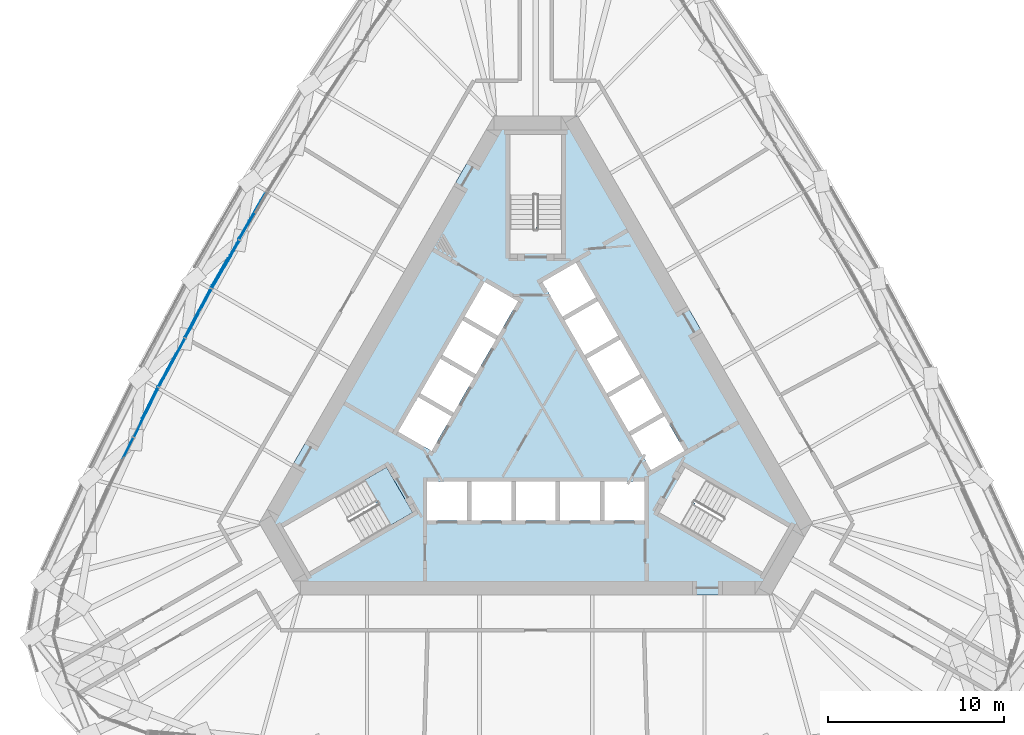
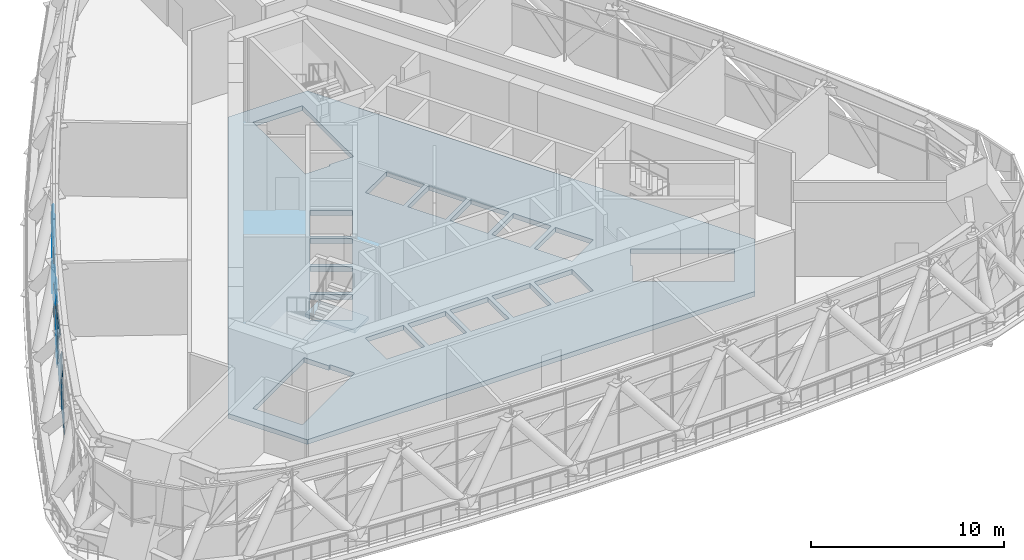
# One storey, part 12 of 35: 25 plates, 2 slabs, 2 elements without a shape of their own.
"""IFC4 building model written with IfcOpenShell, lengths in metres."""

import ifcopenshell
import ifcopenshell.guid

model = None  # the IFC model being written
_history = None  # IfcOwnerHistory: only IFC2X3 demands one
_inside = {}  # id of a spatial element -> (the spatial element, [elements in it])
_under = {}  # id of a project, library or spatial element -> (it, [spatial elements below it])
_declared = {}  # id of a project -> (the project, [libraries it declares])
_typed = {}  # id of a type object -> (the type object, [elements of that type])
_made_of = {}  # id of a material, layer set ... -> (it, [elements and type objects made of it])


def new_model(schema):
    """Start an empty IFC model of exactly this schema.

    Asked for "IFC4X3", IfcOpenShell would pick the latest addendum, in which some entities
    have other attributes; the version numbers below select the first issue.
    IFC2X3 requires an IfcOwnerHistory on every rooted entity: one is made here for all.
    """
    global model, _history
    if schema == "IFC4X3":
        model = ifcopenshell.file(schema_version=(4, 3, 0, 0))
    else:
        model = ifcopenshell.file(schema=schema)
    _inside.clear()
    _under.clear()
    _declared.clear()
    _typed.clear()
    _made_of.clear()
    _history = None
    if model.schema == "IFC2X3":
        org = make("IfcOrganization", Name="unknown")
        user = make(
            "IfcPersonAndOrganization",
            ThePerson=make("IfcPerson", FamilyName="unknown"),
            TheOrganization=org,
        )
        app = make(
            "IfcApplication",
            ApplicationDeveloper=org,
            Version="unknown",
            ApplicationFullName="unknown",
            ApplicationIdentifier="unknown",
        )
        _history = make(
            "IfcOwnerHistory",
            OwningUser=user,
            OwningApplication=app,
            ChangeAction="ADDED",
            CreationDate=0,
        )
    return model


def make(cls, **values):
    """One entity of the class cls with the attributes given. An attribute that is None is left unset."""
    return model.create_entity(
        cls, **{name: value for name, value in values.items() if value is not None}
    )


def rooted(cls, **values):
    """An entity with a GlobalId (a new one), such as an element, a storey or a relation."""
    return make(cls, GlobalId=ifcopenshell.guid.new(), OwnerHistory=_history, **values)


def si_unit(unit_type, name, prefix=None):
    """IfcSIUnit, for example si_unit("LENGTHUNIT", "METRE", prefix="MILLI")."""
    return make("IfcSIUnit", UnitType=unit_type, Prefix=prefix, Name=name)


def assignment(units):
    """IfcUnitAssignment: the units of a project."""
    return None if units is None else make("IfcUnitAssignment", Units=units)


def point(xyz):
    """IfcCartesianPoint."""
    return None if xyz is None else make("IfcCartesianPoint", Coordinates=xyz)


def direction(xyz):
    """IfcDirection."""
    return None if xyz is None else make("IfcDirection", DirectionRatios=xyz)


def frame(location, z_axis=None, x_axis=None):
    """IfcAxis2Placement3D, a coordinate frame: its origin and axes. An axis left out is left unset."""
    return make(
        "IfcAxis2Placement3D",
        Location=point(location),
        Axis=direction(z_axis),
        RefDirection=direction(x_axis),
    )


def origin():
    """The frame at (0, 0, 0) with its axes left unset."""
    return frame((0.0, 0.0, 0.0))


def place(relative_to, where):
    """IfcLocalPlacement: puts the frame where relative to a parent placement (None: the world)."""
    return make(
        "IfcLocalPlacement", PlacementRelTo=relative_to, RelativePlacement=where
    )


def context(
    kind, dimensions, precision=None, world=None, true_north=None, identifier=None
):
    """IfcGeometricRepresentationContext, for example the 3D "Model" context."""
    return make(
        "IfcGeometricRepresentationContext",
        ContextIdentifier=identifier,
        ContextType=kind,
        CoordinateSpaceDimension=dimensions,
        Precision=precision,
        WorldCoordinateSystem=world,
        TrueNorth=true_north,
    )


def subcontext(parent, identifier, kind, view, scale=None):
    """IfcGeometricRepresentationSubContext, for example "Body" below "Model"."""
    return make(
        "IfcGeometricRepresentationSubContext",
        ContextIdentifier=identifier,
        ContextType=kind,
        ParentContext=parent,
        TargetScale=scale,
        TargetView=view,
    )


def project(units=None, contexts=None):
    """IfcProject with its units and contexts."""
    return rooted(
        "IfcProject",
        Name="project",
        RepresentationContexts=contexts,
        UnitsInContext=assignment(units),
    )


def spatial(cls, under=None, at=None, **own):
    """A site, building, storey or space (cls), placed at a placement, below another one or the project."""
    s = rooted(cls, ObjectPlacement=at, **own)
    if under is not None:
        _under.setdefault(under.id(), (under, []))[1].append(s)
    return s


def polyline(points):
    """IfcPolyline through the points."""
    return make("IfcPolyline", Points=[point(p) for p in points])


def outline(outer, holes=None, kind="AREA"):
    """IfcArbitraryClosedProfileDef: a profile drawn as a closed curve; with holes, ...WithVoids."""
    if holes is None:
        return make("IfcArbitraryClosedProfileDef", ProfileType=kind, OuterCurve=outer)
    return make(
        "IfcArbitraryProfileDefWithVoids",
        ProfileType=kind,
        OuterCurve=outer,
        InnerCurves=holes,
    )


def extrude(swept, where, along, depth):
    """IfcExtrudedAreaSolid: the profile swept, set in the frame where, extruded along a direction by depth."""
    return make(
        "IfcExtrudedAreaSolid",
        SweptArea=swept,
        Position=where,
        ExtrudedDirection=direction(along),
        Depth=depth,
    )


def shape(context_of_items, identifier, shape_type, items):
    """IfcShapeRepresentation: the items that make up one representation, for example the "Body"."""
    return make(
        "IfcShapeRepresentation",
        ContextOfItems=context_of_items,
        RepresentationIdentifier=identifier,
        RepresentationType=shape_type,
        Items=items,
    )


def material(Name=None, Category=None):
    """IfcMaterial."""
    return make("IfcMaterial", Name=Name, Category=Category)


def layer(
    of_material, thickness, ventilated=None, Name=None, Category=None, Priority=None
):
    """IfcMaterialLayer: one layer of a wall or slab, of a material (None: an air gap)."""
    return make(
        "IfcMaterialLayer",
        Material=of_material,
        LayerThickness=thickness,
        IsVentilated=ventilated,
        Name=Name,
        Category=Category,
        Priority=Priority,
    )


def layer_set(layers, Name=None):
    """IfcMaterialLayerSet."""
    return make("IfcMaterialLayerSet", MaterialLayers=layers, LayerSetName=Name)


def made_of(thing, what):
    """Note that an element or type object is made of a material, layer set ...; save() writes the relation."""
    if what is not None:
        _made_of.setdefault(what.id(), (what, []))[1].append(thing)
    return thing


def type_object(cls, material=None, **own):
    """A type object (cls), such as IfcWallType, which elements share."""
    return made_of(rooted(cls, **own), material)


def element(
    cls,
    number,
    at=None,
    inside=None,
    cuts=None,
    type_object=None,
    material=None,
    context=None,
    identifier="Body",
    shape_type=None,
    held_by="IfcProductDefinitionShape",
    body=None,
    shapes=None,
    **own,
):
    """One element of the class cls, such as IfcWall. Its Tag is "e" and its number.

    at: its placement. inside: the storey or other place that contains it. cuts: it is an
    opening in that element (IfcRelVoidsElement). A single representation is given by context,
    identifier, shape_type and body (its items); several are given by shapes. held_by: the class
    of the entity that holds the representations. save() writes the other relations.
    """
    e = rooted(cls, Tag="e%d" % number, ObjectPlacement=at, **own)
    if body is not None:
        shapes = [shape(context, identifier, shape_type, body)]
    if shapes is not None:
        e.Representation = make(held_by, Representations=shapes)
    if inside is not None:
        _inside.setdefault(inside.id(), (inside, []))[1].append(e)
    if cuts is not None:
        rooted(
            "IfcRelVoidsElement", RelatingBuildingElement=cuts, RelatedOpeningElement=e
        )
    if type_object is not None:
        _typed.setdefault(type_object.id(), (type_object, []))[1].append(e)
    return made_of(e, material)


def aggregate(whole, parts):
    """IfcRelAggregates: a whole, such as a stair, and the parts it consists of."""
    return rooted("IfcRelAggregates", RelatingObject=whole, RelatedObjects=parts)


def save(model, path):
    """Write the relations noted so far, then the file.

    IfcRelAggregates (storeys below a building ...), IfcRelContainedInSpatialStructure (elements
    in a storey), IfcRelDefinesByType, IfcRelAssociatesMaterial and IfcRelDeclares: one each for
    every whole, place, type object, material and project.
    """
    for whole, parts in _under.values():
        aggregate(whole, parts)
    for where, things in _inside.values():
        rooted(
            "IfcRelContainedInSpatialStructure",
            RelatedElements=things,
            RelatingStructure=where,
        )
    for kind, things in _typed.values():
        rooted("IfcRelDefinesByType", RelatedObjects=things, RelatingType=kind)
    for what, things in _made_of.values():
        rooted("IfcRelAssociatesMaterial", RelatedObjects=things, RelatingMaterial=what)
    for by, libraries in _declared.values():
        rooted("IfcRelDeclares", RelatingContext=by, RelatedDefinitions=libraries)
    model.write(path)


model = new_model("IFC4")

# Units and contexts
model_context = context("Model", 3, precision=1e-05, world=origin(), true_north=direction((0.0, 1.0)))
body_context = subcontext(model_context, "Body", "Model", "MODEL_VIEW")
ifc_project = project(units=[si_unit("LENGTHUNIT", "METRE"), si_unit("AREAUNIT", "SQUARE_METRE"), si_unit("VOLUMEUNIT", "CUBIC_METRE"), si_unit("PLANEANGLEUNIT", "RADIAN"), si_unit("MASSUNIT", "GRAM", prefix="KILO")], contexts=[model_context])

# Site, building, storey
site_placement = place(None, origin())
site = spatial("IfcSite", under=ifc_project, at=site_placement, CompositionType="ELEMENT")
building_placement = place(site_placement, origin())
building = spatial("IfcBuilding", under=site, at=building_placement, Name="Mestral Congress Tower", CompositionType="ELEMENT")
storey_placement = place(building_placement, frame((0.0, 0.0, 196.199951171875)))
storey = spatial("IfcBuildingStorey", under=building, at=storey_placement, Name="L46", CompositionType="ELEMENT", Elevation=196.199951171875)

# Slab
ifc_material_1 = material(Name="Concrete C60/75", Category="concrete")
ifc_layer_1 = layer(ifc_material_1, 0.300048828125)
ifc_layer_set_1 = layer_set([ifc_layer_1], Name="Concrete C60/75")
slab_type_1 = type_object("IfcSlabType", Name="Core floor slab RC 300", PredefinedType="FLOOR", material=ifc_layer_set_1)
slab_1_placement = place(storey_placement, frame((0.0, 0.0, -0.300048828125)))
element("IfcSlab", 1, at=slab_1_placement, inside=storey, type_object=slab_type_1, Name="L46 core floor", PredefinedType="FLOOR", context=body_context, shape_type="SweptSolid", body=[
    extrude(outline(polyline([(13.36572265625, -10.449951171875), (-13.36572265625, -10.449951171875), (-15.73291015625, -6.35009765625), (-2.3671875, 16.800048828125), (2.3671875, 16.800048828125), (15.73291015625, -6.35009765625), (13.36572265625, -10.449951171875)]), holes=[polyline([(-9.8046875, -3.95751953125), (-14.37744140625, -6.59765625), (-12.90234375, -9.15234375), (-8.234619140625, -6.45751953125), (-8.971923828125, -5.179931640625), (-9.0673828125, -5.235107421875), (-9.8046875, -3.95751953125)]), polyline([(-3.905029296875, -4.0), (-6.175048828125, -4.0), (-6.175048828125, -6.199951171875), (-3.905029296875, -6.199951171875), (-3.905029296875, -4.0)]), polyline([(-1.385009765625, -4.0), (-3.655029296875, -4.0), (-3.655029296875, -6.199951171875), (-1.385009765625, -6.199951171875), (-1.385009765625, -4.0)]), polyline([(1.135009765625, -4.0), (-1.135009765625, -4.0), (-1.135009765625, -6.199951171875), (1.135009765625, -6.199951171875), (1.135009765625, -4.0)]), polyline([(-5.921630859375, -2.256591796875), (-4.78662109375, -0.29052734375), (-6.69189453125, 0.809326171875), (-7.826904296875, -1.156494140625), (-5.921630859375, -2.256591796875)]), polyline([(-4.66162109375, -0.07421875), (-3.526611328125, 1.8916015625), (-5.431884765625, 2.99169921875), (-6.56689453125, 1.02587890625), (-4.66162109375, -0.07421875)]), polyline([(-3.401611328125, 2.1083984375), (-2.2666015625, 4.07421875), (-4.171875, 5.174072265625), (-5.306884765625, 3.208251953125), (-3.401611328125, 2.1083984375)]), polyline([(-2.1416015625, 4.29052734375), (-1.006591796875, 6.256591796875), (-2.911865234375, 7.3564453125), (-4.046875, 5.390625), (-2.1416015625, 4.29052734375)]), polyline([(1.47509765625, 10.469970703125), (1.47509765625, 15.75), (-1.47509765625, 15.75), (-1.47509765625, 10.360107421875), (0.0, 10.360107421875), (0.0, 10.469970703125), (1.47509765625, 10.469970703125)]), polyline([(8.329833984375, -6.512451171875), (12.90234375, -9.15234375), (14.37744140625, -6.59765625), (9.70947265625, -3.902587890625), (8.971923828125, -5.179931640625), (9.0673828125, -5.235107421875), (8.329833984375, -6.512451171875)]), polyline([(3.655029296875, -4.0), (1.385009765625, -4.0), (1.385009765625, -6.199951171875), (3.655029296875, -6.199951171875), (3.655029296875, -4.0)]), polyline([(6.175048828125, -4.0), (3.905029296875, -4.0), (3.905029296875, -6.199951171875), (6.175048828125, -6.199951171875), (6.175048828125, -4.0)]), polyline([(5.41650390625, -1.3818359375), (6.551513671875, -3.34765625), (8.456787109375, -2.247802734375), (7.322021484375, -0.28173828125), (5.41650390625, -1.3818359375)]), polyline([(4.156494140625, 0.800537109375), (5.29150390625, -1.165283203125), (7.197021484375, -0.065185546875), (6.06201171875, 1.900634765625), (4.156494140625, 0.800537109375)]), polyline([(2.896484375, 2.98291015625), (4.031494140625, 1.01708984375), (5.93701171875, 2.1171875), (4.802001953125, 4.0830078125), (2.896484375, 2.98291015625)]), polyline([(3.5419921875, 6.265380859375), (1.63671875, 5.165283203125), (2.771484375, 3.199462890625), (4.677001953125, 4.29931640625), (3.5419921875, 6.265380859375)]), polyline([(2.281982421875, 8.44775390625), (0.376708984375, 7.34765625), (1.51171875, 5.3818359375), (3.4169921875, 6.481689453125), (2.281982421875, 8.44775390625)])]), origin(), (0.0, 0.0, 1.0), 0.300048828125),
])

# Stair, slab
stair_type = type_object("IfcStairType", Name="Exit stair 1400", PredefinedType="HALF_TURN_STAIR", material=ifc_material_1)
placement = place(storey_placement, origin())
stair = element("IfcStair", 2, at=placement, inside=storey, type_object=stair_type, Name="L46 ST3", PredefinedType="HALF_TURN_STAIR")
ifc_layer_2 = layer(ifc_material_1, 0.199951171875)
ifc_layer_set_2 = layer_set([ifc_layer_2], Name="Concrete C60/75")
slab_type_2 = type_object("IfcSlabType", Name="Exit stair landing 200", PredefinedType="LANDING", material=ifc_layer_set_2)
slab_2_placement = place(storey_placement, frame((0.0, 0.0, 2.5)))
slab_2 = element("IfcSlab", 3, at=slab_2_placement, type_object=slab_type_2, Name="ST3 landing 2", PredefinedType="LANDING", context=body_context, shape_type="SweptSolid", body=[
    extrude(outline(polyline([(-8.48486328125, -3.18408203125), (-6.999755859375, -5.756103515625), (-8.2294921875, -6.466064453125), (-9.714599609375, -3.89404296875), (-8.48486328125, -3.18408203125)])), origin(), (0.0, 0.0, 1.0), 0.199951171875),
])
aggregate(stair, [slab_2])

# Curtain wall, plates
ifc_material_2 = material(Name="Clear low-emissivity double glazing", Category="glass")
curtain_wall_type = type_object("IfcCurtainWallType", Name="Facade refuge band screen", PredefinedType="USERDEFINED", material=ifc_material_2)
curtain_wall = element("IfcCurtainWall", 4, at=placement, inside=storey, type_object=curtain_wall_type, Name="Facade refuge band screen face 3", ObjectType="CURTAIN WALL", PredefinedType="USERDEFINED")
ifc_material_3 = material(Name="Anodised aluminium", Category="aluminium")
ifc_layer_3 = layer(ifc_material_3, 0.028076171875)
ifc_layer_set_3 = layer_set([ifc_layer_3], Name="Anodised aluminium")
plate_type_1 = type_object("IfcPlateType", Name="Facade refuge band screen brace cover panel", PredefinedType="CURTAIN_PANEL", material=ifc_layer_set_3)
plate_1_placement = place(storey_placement, frame((-16.87255859375, 9.77587890625, 3.645263671875), z_axis=(-0.865977816072, 0.500077913155, 0.002121991147), x_axis=(-0.00173481638, 0.001239154557, -0.999997727451)))
plate_1 = element("IfcPlate", 5, at=plate_1_placement, type_object=plate_type_1, Name="Facade refuge band screen brace cover panel", PredefinedType="CURTAIN_PANEL", context=body_context, shape_type="SweptSolid", body=[
    extrude(outline(polyline([(0.0, 0.0), (0.9851096605845071, 0.0), (0.9854507306156339, -1.6594056180210284), (0.0, 0.0)])), origin(), (0.0, 0.0, -1.0), 0.028076171875),
])
plate_2_placement = place(storey_placement, frame((-18.489990234375, 7.03515625, 0.471923828125), z_axis=(-0.866027168973, 0.499992946785, 0.001998941086), x_axis=(0.387247417366, 0.673261283757, -0.629887832505)))
plate_2 = element("IfcPlate", 6, at=plate_2_placement, type_object=plate_type_1, Name="Facade refuge band screen brace cover panel", PredefinedType="CURTAIN_PANEL", context=body_context, shape_type="SweptSolid", body=[
    extrude(outline(polyline([(0.0, 0.0), (0.19108382944984478, 0.0), (0.18953852064463184, -2.8164663091102615), (-0.42764290195409593, -2.3159344624133635), (-0.4267040140504075, -0.5259157973388391), (0.0, 0.0)])), origin(), (0.0, 0.0, -1.0), 0.028076171875),
])
plate_3_placement = place(storey_placement, frame((-18.437255859375, 7.004638671875, 3.93798828125), z_axis=(-0.866021780363, 0.500002067756, 0.002051384086), x_axis=(-0.001710047557, 0.001140877927, -0.999997887065)))
plate_3 = element("IfcPlate", 7, at=plate_3_placement, type_object=plate_type_1, Name="Facade refuge band screen brace cover panel", PredefinedType="CURTAIN_PANEL", context=body_context, shape_type="SweptSolid", body=[
    extrude(outline(polyline([(0.0, 0.0), (1.2778347599108757, -2.439454888092385e-19), (1.2781461156603138, -2.341269749487056), (0.00010257227500673938, -0.7710154910200638), (0.0, 0.0)])), origin(), (0.0, 0.0, -1.0), 0.028076171875),
])
plate_4_placement = place(storey_placement, frame((-18.02587890625, 7.657470703125, 3.93798828125), z_axis=(-0.865945912442, 0.500133777813, 0.001970029359), x_axis=(0.386852751192, 0.672294057068, -0.631162142184)))
plate_4 = element("IfcPlate", 8, at=plate_4_placement, type_object=plate_type_1, Name="Facade refuge band screen brace cover panel", PredefinedType="CURTAIN_PANEL", context=body_context, shape_type="SweptSolid", body=[
    extrude(outline(polyline([(0.0, 0.0), (1.377048094159583, 1.1102230246251565e-16), (1.0601731669930539, -0.8626861747275446), (0.0, 0.0)])), origin(), (0.0, 0.0, -1.0), 0.028076171875),
])
plate_5_placement = place(storey_placement, frame((-17.294921875, 9.048583984375, 2.66015625), z_axis=(-0.866187725186, 0.499713786595, 0.002226257702), x_axis=(0.499715026547, 0.86618987078, 8.30358e-07)))
plate_5 = element("IfcPlate", 9, at=plate_5_placement, type_object=plate_type_1, Name="Facade refuge band screen brace cover panel", PredefinedType="CURTAIN_PANEL", context=body_context, shape_type="SweptSolid", body=[
    extrude(outline(polyline([(0.0, 0.0), (0.7811904722674536, 1.0842021724855044e-19), (0.7811994364840034, -1.020753805538085), (0.6021729762056688, -1.1269557648365562), (-0.18744459861744114, -0.15234457476444513), (0.0, 0.0)])), origin(), (0.0, 0.0, -1.0), 0.028076171875),
])
plate_6_placement = place(storey_placement, frame((-19.387939453125, 5.2431640625, 2.5400390625), z_axis=(-0.880885854358, 0.473324606997, 0.001981919007), x_axis=(0.298649182095, 0.559043035754, -0.773485326434)))
plate_6 = element("IfcPlate", 10, at=plate_6_placement, type_object=plate_type_1, Name="Facade refuge band screen brace cover panel", PredefinedType="CURTAIN_PANEL", context=body_context, shape_type="SweptSolid", body=[
    extrude(outline(polyline([(0.0, 0.0), (2.8325268225780413, 0.0), (2.832441557020876, -0.1890263134526382), (2.309312104525733, -0.6176031148762233), (0.5060820116917196, -0.6176082852733968), (0.0, 0.0)])), origin(), (0.0, 0.0, -1.0), 0.028076171875),
])
plate_7_placement = place(storey_placement, frame((-19.18408203125, 5.558837890625, 2.66015625), z_axis=(-0.880851808112, 0.473387215479, 0.00215322242), x_axis=(-0.407203596516, -0.760005117325, 0.50653474967)))
plate_7 = element("IfcPlate", 11, at=plate_7_placement, type_object=plate_type_1, Name="Facade refuge band screen brace cover panel", PredefinedType="CURTAIN_PANEL", context=body_context, shape_type="SweptSolid", body=[
    extrude(outline(polyline([(0.0, 0.0), (1.8040585763750834, 1.1102230246251565e-16), (1.341131534551298, -0.7878873156619584), (0.0, 0.0)])), origin(), (0.0, 0.0, -1.0), 0.028076171875),
])
plate_8_placement = place(storey_placement, frame((-18.4951171875, 6.96728515625, 2.66015625), z_axis=(-0.880883400694, 0.473329208796, 0.001973444318), x_axis=(0.001804975766, -0.000810149167, 0.999998042858)))
plate_8 = element("IfcPlate", 12, at=plate_8_placement, type_object=plate_type_1, Name="Facade refuge band screen brace cover panel", PredefinedType="CURTAIN_PANEL", context=body_context, shape_type="SweptSolid", body=[
    extrude(outline(polyline([(0.0, 0.0), (1.27783428752439, 0.0), (1.277516413530844, -2.2609537711538708), (-6.545503084042338e-05, -0.46346769587689823), (0.0, 0.0)])), origin(), (0.0, 0.0, -1.0), 0.028076171875),
])
plate_9_placement = place(storey_placement, frame((-21.456787109375, 1.401611328125, 0.4697265625), z_axis=(-0.880825107332, 0.473438083605, 0.001873842534), x_axis=(0.368395775237, 0.687870601915, -0.625394745588)))
plate_9 = element("IfcPlate", 13, at=plate_9_placement, type_object=plate_type_1, Name="Facade refuge band screen brace cover panel", PredefinedType="CURTAIN_PANEL", context=body_context, shape_type="SweptSolid", body=[
    extrude(outline(polyline([(0.0, 0.0), (0.19050506263870623, -1.3877787807814457e-17), (0.18923799386417572, -2.80487415691465), (-0.42870688417167413, -2.309607567922468), (-0.4281180421355753, -0.5338714601331678), (0.0, 0.0)])), origin(), (0.0, 0.0, -1.0), 0.028076171875),
])
plate_10_placement = place(storey_placement, frame((-21.4794921875, 1.413818359375, 2.66015625), z_axis=(-0.880814886022, 0.473456412919, 0.002040006671), x_axis=(0.473457397935, 0.880816718927, -9.01e-08)))
plate_10 = element("IfcPlate", 14, at=plate_10_placement, type_object=plate_type_1, Name="Facade refuge band screen brace cover panel", PredefinedType="CURTAIN_PANEL", context=body_context, shape_type="SweptSolid", body=[
    extrude(outline(polyline([(0.0, 0.0), (2.1159058925812806, -2.168404344971009e-19), (0.536072214272823, -1.277834738488621), (-3.501918822024021e-05, -1.2778344995425859), (0.0, 0.0)])), origin(), (0.0, 0.0, -1.0), 0.028076171875),
])
plate_11_placement = place(storey_placement, frame((-21.197021484375, 1.87060546875, 3.93798828125), z_axis=(-0.880911075043, 0.473277560492, 0.00200713742), x_axis=(0.366861611947, 0.685506219989, -0.628882962114)))
plate_11 = element("IfcPlate", 15, at=plate_11_placement, type_object=plate_type_1, Name="Facade refuge band screen brace cover panel", PredefinedType="CURTAIN_PANEL", context=body_context, shape_type="SweptSolid", body=[
    extrude(outline(polyline([(0.0, 0.0), (1.5392650722665964, -2.220446049250313e-16), (1.1855708367411941, -0.9589553730378108), (0.0, 0.0)])), origin(), (0.0, 0.0, -1.0), 0.028076171875),
])
plate_12_placement = place(storey_placement, frame((-20.08642578125, 3.938232421875, 3.75), z_axis=(-0.880860649778, 0.473371824632, 0.001905601781), x_axis=(-0.297181025134, -0.549858570781, -0.780601684881)))
plate_12 = element("IfcPlate", 16, at=plate_12_placement, type_object=plate_type_1, Name="Facade refuge band screen brace cover panel", PredefinedType="CURTAIN_PANEL", context=body_context, shape_type="SweptSolid", body=[
    extrude(outline(polyline([(0.0, 0.0), (1.3298537263903438, 1.1102230246251565e-16), (1.3302491805474779, -0.08231497132892862), (0.7012607404734222, -0.8678657023151499), (-0.0398061643800727, -0.2747050722316263), (0.0, 0.0)])), origin(), (0.0, 0.0, -1.0), 0.028076171875),
])
plate_13_placement = place(storey_placement, frame((-22.390869140625, -0.3935546875, 2.5400390625), z_axis=(-0.894902119157, 0.446257589388, 0.002088310799), x_axis=(0.283392598066, 0.571903437731, -0.769814973401)))
plate_13 = element("IfcPlate", 17, at=plate_13_placement, type_object=plate_type_1, Name="Facade refuge band screen brace cover panel", PredefinedType="CURTAIN_PANEL", context=body_context, shape_type="SweptSolid", body=[
    extrude(outline(polyline([(0.0, 0.0), (2.853326215400445, 2.220446049250313e-16), (2.8535676149235796, -0.18389478606779108), (2.328945462070478, -0.6187220991456973), (0.5129714975864128, -0.6186989950550363), (0.0, 0.0)])), origin(), (0.0, 0.0, -1.0), 0.028076171875),
])
plate_14_placement = place(storey_placement, frame((-21.480712890625, 1.345947265625, 2.66015625), z_axis=(-0.894924128101, 0.446214366166, 0.001882649743), x_axis=(0.001637732731, -0.00093452809, 0.999998222243)))
plate_14 = element("IfcPlate", 18, at=plate_14_placement, type_object=plate_type_1, Name="Facade refuge band screen brace cover panel", PredefinedType="CURTAIN_PANEL", context=body_context, shape_type="SweptSolid", body=[
    extrude(outline(polyline([(0.0, 0.0), (1.0551776168883882, 2.710505431213761e-20), (1.2779116578837066, -0.7339055484680159), (1.2780770563317674, -2.2989358547941348), (1.0715151831092442, -2.1245917726336545), (8.473121305333604e-05, -0.8031506675597636), (0.0, 0.0)])), origin(), (0.0, 0.0, -1.0), 0.028076171875),
])
plate_15_placement = place(storey_placement, frame((-22.90087890625, -1.501953125, 2.66015625), z_axis=(-0.894909958411, 0.446242204555, 0.002015244846), x_axis=(0.001802506215, -0.000901214604, 0.99999796939)))
plate_15 = element("IfcPlate", 19, at=plate_15_placement, type_object=plate_type_1, Name="Facade refuge band screen brace cover panel", PredefinedType="CURTAIN_PANEL", context=body_context, shape_type="SweptSolid", body=[
    extrude(outline(polyline([(0.0, 0.0), (0.8256852175676678, 1.198551620364835e-19), (1.0153836269105299, -0.3279859801001161), (2.3813749752338905e-06, -1.1313549527430093), (0.0, 0.0)])), origin(), (0.0, 0.0, -1.0), 0.028076171875),
])
ifc_layer_4 = layer(ifc_material_2, 0.028076171875)
ifc_layer_set_4 = layer_set([ifc_layer_4], Name="Clear low-emissivity double glazing")
plate_type_2 = type_object("IfcPlateType", Name="Facade refuge band screen panel", PredefinedType="CURTAIN_PANEL", material=ifc_layer_set_4)
plate_16_placement = place(storey_placement, frame((-16.907470703125, 9.796142578125, 2.5400390625), z_axis=(-0.866017626532, 0.500009479414, 0.001997756649), x_axis=(-0.001746435865, 0.000970598437, -0.999998003948)))
plate_16 = element("IfcPlate", 20, at=plate_16_placement, type_object=plate_type_2, Name="Refuge screen glass unit", PredefinedType="CURTAIN_PANEL", context=body_context, shape_type="SweptSolid", body=[
    extrude(outline(polyline([(0.0, 0.0), (2.540044036842608, 2.846030702774449e-19), (2.539961061390626, -2.5400119342190517), (2.188383810500762, -2.9739474917437487), (-3.942453266302429e-05, -1.2009932183160759), (0.0, 0.0)])), origin(), (0.0, 0.0, -1.0), 0.028076171875),
])
plate_17_placement = place(storey_placement, frame((-16.854248046875, 9.6962890625, 2.5400390625), z_axis=(-0.866018891574, 0.50000731859, 0.001990174356), x_axis=(-0.500008308719, -0.86602060669, 5.0445e-08)))
plate_17 = element("IfcPlate", 21, at=plate_17_placement, type_object=plate_type_2, Name="Refuge screen glass unit", PredefinedType="CURTAIN_PANEL", context=body_context, shape_type="SweptSolid", body=[
    extrude(outline(polyline([(0.0, 0.0), (1.2012046495496673, -2.168404344971009e-19), (3.122632529228869, -2.371586885257953), (3.1225431622598374, -2.540044246620741), (8.286588336661285e-05, -2.5400440357811793), (0.0, 0.0)])), origin(), (0.0, 0.0, -1.0), 0.028076171875),
])
plate_18_placement = place(storey_placement, frame((-18.44140625, 7.007080078125, 2.5400390625), z_axis=(-0.865992537243, 0.500052733539, 0.00204673368), x_axis=(-0.001755306135, 0.001053183681, -0.99999790485)))
plate_18 = element("IfcPlate", 22, at=plate_18_placement, type_object=plate_type_2, Name="Refuge screen glass unit", PredefinedType="CURTAIN_PANEL", context=body_context, shape_type="SweptSolid", body=[
    extrude(outline(polyline([(0.0, 0.0), (1.3908720547105027, -4.0657581468206416e-20), (3.8654446615215676e-05, -1.1268319201931112), (0.0, 0.0)])), origin(), (0.0, 0.0, -1.0), 0.028076171875),
])
plate_19_placement = place(storey_placement, frame((-19.973388671875, 4.21728515625, 2.5400390625), z_axis=(-0.880877586187, 0.473339886237, 0.002007548273), x_axis=(-0.001795351494, 0.000900112892, -0.999997983253)))
plate_19 = element("IfcPlate", 23, at=plate_19_placement, type_object=plate_type_2, Name="Refuge screen glass unit", PredefinedType="CURTAIN_PANEL", context=body_context, shape_type="SweptSolid", body=[
    extrude(outline(polyline([(0.0, 0.0), (2.540043807398856, 5.421010862427522e-20), (2.539898939490589, -2.550304926492609), (2.1907529449107326, -2.9760848662499164), (-6.75961915196536e-05, -1.1807853014821272), (0.0, 0.0)])), origin(), (0.0, 0.0, -1.0), 0.028076171875),
])
plate_20_placement = place(storey_placement, frame((-18.442626953125, 6.939208984375, 2.5400390625), z_axis=(-0.880880603892, 0.473334485505, 0.001956148865), x_axis=(-0.47333539112, -0.88088228925, 0.0)))
plate_20 = element("IfcPlate", 24, at=plate_20_placement, type_object=plate_type_2, Name="Refuge screen glass unit", PredefinedType="CURTAIN_PANEL", context=body_context, shape_type="SweptSolid", body=[
    extrude(outline(polyline([(0.0, 0.0), (1.1429857879849796, 1.0842021724855044e-19), (8.030821898137889e-05, -1.3947780591994945), (0.0, 0.0)])), origin(), (0.0, 0.0, -1.0), 0.028076171875),
])
plate_21_placement = place(storey_placement, frame((-21.479736328125, 1.413818359375, 2.5400390625), z_axis=(-0.880885593846, 0.473324793497, 0.002051929663), x_axis=(-0.00176149003, 0.001056894018, -0.999997890062)))
plate_21 = element("IfcPlate", 25, at=plate_21_placement, type_object=plate_type_2, Name="Refuge screen glass unit", PredefinedType="CURTAIN_PANEL", context=body_context, shape_type="SweptSolid", body=[
    extrude(outline(polyline([(0.0, 0.0), (1.3859892524767679, 8.131516293641283e-20), (0.00010794287049403946, -1.1099978781509505), (0.0, 0.0)])), origin(), (0.0, 0.0, -1.0), 0.028076171875),
])
plate_22_placement = place(storey_placement, frame((-21.15380859375, 1.904541015625, 0.0), z_axis=(-0.880876040144, 0.473342808192, 0.001996955864), x_axis=(0.473343752222, 0.880877796424, 1.25766e-07)))
plate_22 = element("IfcPlate", 26, at=plate_22_placement, type_object=plate_type_2, Name="Refuge screen glass unit", PredefinedType="CURTAIN_PANEL", context=body_context, shape_type="SweptSolid", body=[
    extrude(outline(polyline([(0.0, 0.0), (2.535786667274553, 0.0), (2.5359315881353823, -2.5400438051151406), (1.3153951786608953, -2.5400441775309015), (-0.43777256589970903, -0.3505868213915351), (0.0, 0.0)])), origin(), (0.0, 0.0, -1.0), 0.028076171875),
])
plate_23_placement = place(storey_placement, frame((-22.852783203125, -1.458984375, 2.5400390625), z_axis=(-0.894923683757, 0.446214583963, 0.002036003175), x_axis=(-0.001801863742, 0.000949024149, -0.999997926318)))
plate_23 = element("IfcPlate", 27, at=plate_23_placement, type_object=plate_type_2, Name="Refuge screen glass unit", PredefinedType="CURTAIN_PANEL", context=body_context, shape_type="SweptSolid", body=[
    extrude(outline(polyline([(0.0, 0.0), (2.5400444704747662, -3.2526065174565133e-19), (2.5401606512308574, -2.5665665059852376), (2.1966726558354086, -2.980821766042421), (5.2771578782190645e-05, -1.159633574946005), (0.0, 0.0)])), origin(), (0.0, 0.0, -1.0), 0.028076171875),
])
plate_24_placement = place(storey_placement, frame((-21.486572265625, 1.348876953125, 2.5400390625), z_axis=(-0.894972456811, 0.446117124859, 0.001952551553), x_axis=(-0.446117975263, -0.894974162838, 0.0)))
plate_24 = element("IfcPlate", 28, at=plate_24_placement, type_object=plate_type_2, Name="Refuge screen glass unit", PredefinedType="CURTAIN_PANEL", context=body_context, shape_type="SweptSolid", body=[
    extrude(outline(polyline([(0.0, 0.0), (1.159087668336156, 0.0), (-3.3425443270928765e-06, -1.3979518835686584), (0.0, 0.0)])), origin(), (0.0, 0.0, -1.0), 0.028076171875),
])
plate_25_placement = place(storey_placement, frame((-24.0380859375, -3.7705078125, 0.0), z_axis=(-0.894919492183, 0.446223036512, 0.00202588196), x_axis=(0.446223952162, 0.894921328675, -2.5354e-08)))
plate_25 = element("IfcPlate", 29, at=plate_25_placement, type_object=plate_type_2, Name="Refuge screen glass unit", PredefinedType="CURTAIN_PANEL", context=body_context, shape_type="SweptSolid", body=[
    extrude(outline(polyline([(0.0, 0.0), (2.537633029653221, 0.0), (2.537517985225963, -2.540044467039725), (1.2975260080829325, -2.5400440899802232), (-0.43771586418491365, -0.34643649827086875), (0.0, 0.0)])), origin(), (0.0, 0.0, -1.0), 0.028076171875),
])
aggregate(curtain_wall, [plate_16, plate_1, plate_17, plate_18, plate_2, plate_3, plate_4, plate_5, plate_19, plate_20, plate_6, plate_7, plate_8, plate_21, plate_22, plate_9, plate_10, plate_11, plate_12, plate_23, plate_24, plate_13, plate_14, plate_25, plate_15])

save(model, "model.ifc")
